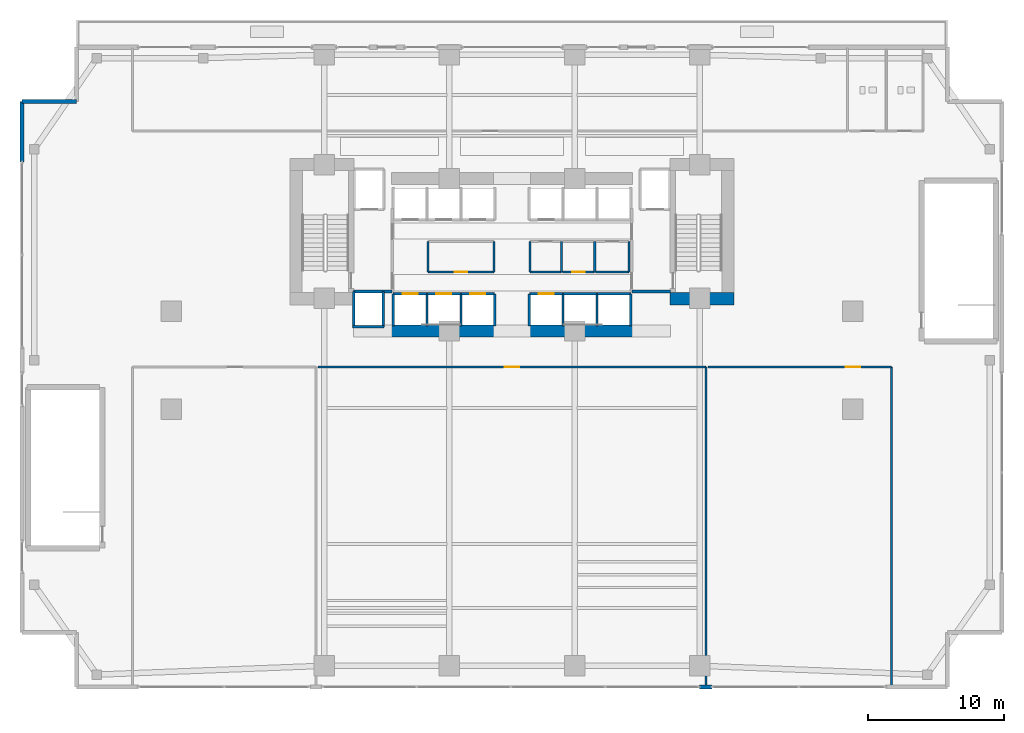
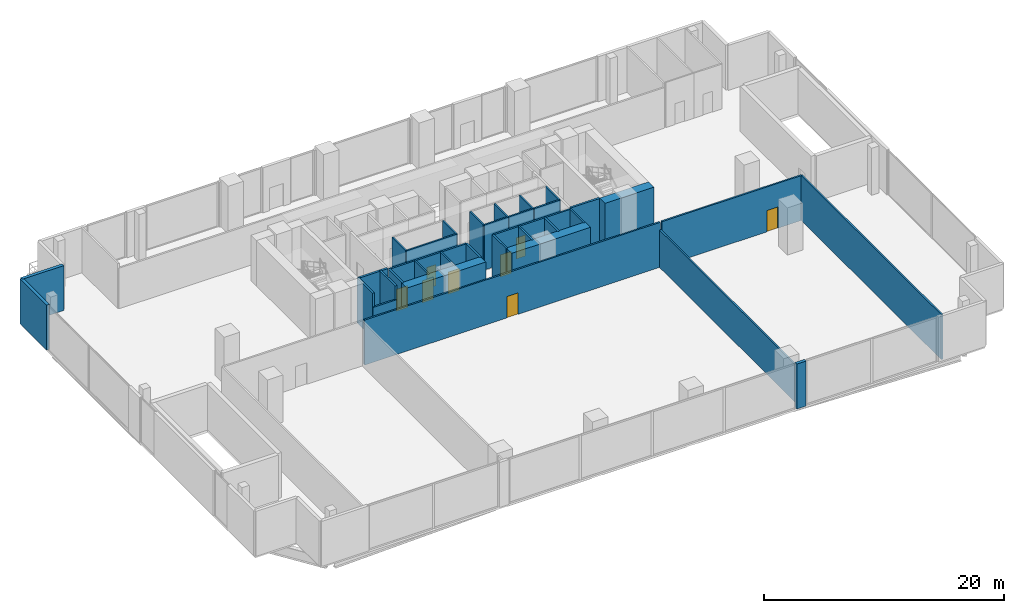
# One storey, part 21 of 28: 39 walls, 8 doors, 8 openings.
"""IFC4 building model written with IfcOpenShell, lengths in metres."""

from ifc_helpers import new_model, si_unit, direction, frame, frame_2d, origin, place, context, subcontext, project, spatial, rectangle, extrude, material, layer, layer_set, type_object, element, fill, save


model = new_model("IFC4")

# Units and contexts
model_context = context("Model", 3, precision=1e-05, world=origin(), true_north=direction((0.0, 1.0)))
body_context = subcontext(model_context, "Body", "Model", "MODEL_VIEW")
ifc_project = project(units=[si_unit("LENGTHUNIT", "METRE"), si_unit("AREAUNIT", "SQUARE_METRE"), si_unit("VOLUMEUNIT", "CUBIC_METRE"), si_unit("PLANEANGLEUNIT", "RADIAN"), si_unit("MASSUNIT", "GRAM", prefix="KILO")], contexts=[model_context])

# Site, building, storey
site_placement = place(None, origin())
site = spatial("IfcSite", under=ifc_project, at=site_placement, CompositionType="ELEMENT")
building_placement = place(site_placement, origin())
building = spatial("IfcBuilding", under=site, at=building_placement, Name="Zuhayl Quay Hotel", CompositionType="ELEMENT")
storey_placement = place(building_placement, frame((0.0, 0.0, 22.800048828125)))
storey = spatial("IfcBuildingStorey", under=building, at=storey_placement, Name="L04", CompositionType="ELEMENT", Elevation=22.800048828125)

# Walls
ifc_material_1 = material(Name="Concrete C70/85", Category="concrete")
ifc_layer_1 = layer(ifc_material_1, 0.89990234375, Name="Concrete C70/85", Category="concrete")
ifc_layer_set_1 = layer_set([ifc_layer_1], Name="Concrete C70/85")
wall_type_1 = type_object("IfcWallType", Name="WL_CORE_900", PredefinedType="SHEAR", material=ifc_layer_set_1)
wall_1_placement = place(storey_placement, frame((11.60009765625, 4.52001953125, 0.0), z_axis=(0.0, 0.0, 1.0), x_axis=(1.0, 0.0, 0.0)))
element("IfcWall", 1, at=wall_1_placement, inside=storey, type_object=wall_type_1, Name="L04 Core Shear Wall CW_SE", PredefinedType="SHEAR", context=body_context, shape_type="SweptSolid", body=[
    extrude(rectangle(XDim=4.7099609375, YDim=0.89990234375, at=frame_2d((2.35498046875, 0.0))), origin(), (0.0, 0.0, 1.0), 4.60986328125),
])
for number, where, z_axis, x_axis, name in (
    (2, (-8.85009765625, 2.14990234375, 0.0), (0.0, 0.0, 1.0), (1.0, 0.0, 0.0), "L04 Core Shear Wall CW_SC_W"),
    (3, (1.25, 2.14990234375, 0.0), (0.0, 0.0, 1.0), (1.0, 0.0, 0.0), "L04 Core Shear Wall CW_SC_E"),
):
    element("IfcWall", number, at=place(storey_placement, frame(where, z_axis=z_axis, x_axis=x_axis)), inside=storey, type_object=wall_type_1, Name=name, PredefinedType="SHEAR", context=body_context, shape_type="SweptSolid", body=[
        extrude(rectangle(XDim=7.60009765625, YDim=0.89990234375, at=frame_2d((3.800048828125, 0.0))), origin(), (0.0, 0.0, 1.0), 4.579833984375),
    ])
ifc_material_2 = material(Name="Precast concrete C45/55", Category="concrete")
ifc_layer_2 = layer(ifc_material_2, 0.300048828125, Name="Precast concrete C45/55", Category="concrete")
ifc_layer_set_2 = layer_set([ifc_layer_2], Name="Precast concrete C45/55")
wall_type_2 = type_object("IfcWallType", Name="WL_EXT_300", PredefinedType="STANDARD", material=ifc_layer_set_2)
wall_2_placement = place(storey_placement, frame((-36.0, 14.580078125, 0.0), z_axis=(0.0, 0.0, 1.0), x_axis=(0.0, 1.0, 0.0)))
element("IfcWall", 4, at=wall_2_placement, inside=storey, type_object=wall_type_2, Name="L04 Exterior Precast Wall ENV_L04_E02_EW4", PredefinedType="STANDARD", context=body_context, shape_type="SweptSolid", body=[
    extrude(rectangle(XDim=4.419921875, YDim=0.300048828125, at=frame_2d((2.2099609375, 0.0))), origin(), (0.0, 0.0, 1.0), 4.579833984375),
])
wall_3_placement = place(storey_placement, frame((-36.0, 19.0, 0.0), z_axis=(0.0, 0.0, 1.0), x_axis=(1.0, 0.0, 0.0)))
element("IfcWall", 5, at=wall_3_placement, inside=storey, type_object=wall_type_2, Name="L04 Exterior Precast Wall ENV_L04_EW03", PredefinedType="STANDARD", context=body_context, shape_type="SweptSolid", body=[
    extrude(rectangle(XDim=4.0, YDim=0.300048828125, at=frame_2d((2.0, 0.0))), origin(), (0.0, 0.0, 1.0), 4.579833984375),
])
wall_4_placement = place(storey_placement, frame((14.68994140625, -24.0, 0.0), z_axis=(0.0, 0.0, 1.0), x_axis=(-1.0, 0.0, 0.0)))
element("IfcWall", 6, at=wall_4_placement, inside=storey, type_object=wall_type_2, Name="L04 Exterior Precast Wall ENV_L04_E11_EW2", PredefinedType="STANDARD", context=body_context, shape_type="SweptSolid", body=[
    extrude(rectangle(XDim=0.89990234375, YDim=0.300048828125, at=frame_2d((0.449951171875, 0.0))), origin(), (0.0, 0.0, 1.0), 4.579833984375),
])

# Wall, opening, door
ifc_material_3 = material(Name="Acoustic Gypsum Partition STC-58")
ifc_layer_3 = layer(ifc_material_3, 0.14990234375, Name="Acoustic Gypsum Partition STC-58")
ifc_layer_set_3 = layer_set([ifc_layer_3], Name="Acoustic Gypsum Partition STC-58")
wall_type_3 = type_object("IfcWallType", Name="WL_PART_150", PredefinedType="PARTITIONING", material=ifc_layer_set_3)
wall_5_placement = place(storey_placement, frame((-6.159912109375, 6.47998046875, 0.0), z_axis=(0.0, 0.0, 1.0), x_axis=(1.0, 0.0, 0.0)))
wall_5 = element("IfcWall", 7, at=wall_5_placement, inside=storey, type_object=wall_type_3, Name="L04 Partition IW_L04_CORE_SV_S", PredefinedType="PARTITIONING", context=body_context, shape_type="SweptSolid", body=[
    extrude(rectangle(XDim=4.83984375, YDim=0.14990234375, at=frame_2d((2.419921875, 0.0))), origin(), (0.0, 0.0, 1.0), 4.579833984375),
])
opening_1_placement = place(wall_5_placement, frame((1.969970703125, 0.0, 0.0)))
opening_1 = element("IfcOpeningElement", 8, at=opening_1_placement, cuts=wall_5, Name="Opening D06", PredefinedType="OPENING", context=body_context, shape_type="SweptSolid", body=[
    extrude(rectangle(XDim=0.89990234375, YDim=2.14990234375, at=frame_2d((0.449951171875, 1.074951171875))), frame((0.0, 0.0849609375, 0.0), z_axis=(0.0, -1.0, 0.0), x_axis=(1.0, 0.0, 0.0)), (0.0, 0.0, 1.0), 0.169921875),
])
ifc_material_4 = material(Name="Steel ASTM A992 Grade 50", Category="steel")
door_type_1 = type_object("IfcDoorType", Name="DR_INT_900", OperationType="NOTDEFINED", PredefinedType="DOOR", material=ifc_material_4)
door_1_placement = place(opening_1_placement, origin())
door_1 = element("IfcDoor", 9, at=door_1_placement, inside=storey, type_object=door_type_1, Name="L04 Core Ice and Linen Store Door", OperationType="SINGLE_SWING_LEFT", OverallHeight=2.14990234375, OverallWidth=0.89990234375, PredefinedType="DOOR", context=body_context, shape_type="SweptSolid", body=[
    extrude(rectangle(XDim=0.89990234375, YDim=2.14990234375, at=frame_2d((0.449951171875, 1.074951171875))), frame((0.0, 0.02490234375, 0.0), z_axis=(0.0, -1.0, 0.0), x_axis=(1.0, 0.0, 0.0)), (0.0, 0.0, 1.0), 0.050048828125),
])
fill(opening_1, door_1)

wall_6_placement = place(storey_placement, frame((3.699951171875, 6.47998046875, 0.0), z_axis=(0.0, 0.0, 1.0), x_axis=(1.0, 0.0, 0.0)))
wall_6 = element("IfcWall", 10, at=wall_6_placement, inside=storey, type_object=wall_type_3, Name="L04 Partition IW_L04_CORE_E2_S", PredefinedType="PARTITIONING", context=body_context, shape_type="SweptSolid", body=[
    extrude(rectangle(XDim=2.380126953125, YDim=0.14990234375, at=frame_2d((1.18994140625, 0.0))), origin(), (0.0, 0.0, 1.0), 4.579833984375),
])
opening_2_placement = place(wall_6_placement, frame((0.739990234375, 0.0, 0.0)))
opening_2 = element("IfcOpeningElement", 11, at=opening_2_placement, cuts=wall_6, Name="Opening D06", PredefinedType="OPENING", context=body_context, shape_type="SweptSolid", body=[
    extrude(rectangle(XDim=0.89990234375, YDim=2.14990234375, at=frame_2d((0.449951171875, 1.074951171875))), frame((0.0, 0.0849609375, 0.0), z_axis=(0.0, -1.0, 0.0), x_axis=(1.0, 0.0, 0.0)), (0.0, 0.0, 1.0), 0.169921875),
])
door_2_placement = place(opening_2_placement, origin())
door_2 = element("IfcDoor", 12, at=door_2_placement, inside=storey, type_object=door_type_1, Name="L04 Data Closet Door", OperationType="SINGLE_SWING_LEFT", OverallHeight=2.14990234375, OverallWidth=0.89990234375, PredefinedType="DOOR", context=body_context, shape_type="SweptSolid", body=[
    extrude(rectangle(XDim=0.89990234375, YDim=2.14990234375, at=frame_2d((0.449951171875, 1.074951171875))), frame((0.0, 0.02490234375, 0.0), z_axis=(0.0, -1.0, 0.0), x_axis=(1.0, 0.0, 0.0)), (0.0, 0.0, 1.0), 0.050048828125),
])
fill(opening_2, door_2)

# Walls
for number, where, z_axis, x_axis, name in (
    (13, (-6.159912109375, 6.47998046875, 0.0), (0.0, 0.0, 1.0), (0.0, 1.0, 0.0), "L04 Partition IW_L04_CORE_SV_W"),
    (14, (-1.320068359375, 6.47998046875, 0.0), (0.0, 0.0, 1.0), (0.0, 1.0, 0.0), "L04 Partition IW_L04_CORE_SV_E"),
):
    element("IfcWall", number, at=place(storey_placement, frame(where, z_axis=z_axis, x_axis=x_axis)), inside=storey, type_object=wall_type_3, Name=name, PredefinedType="PARTITIONING", context=body_context, shape_type="SweptSolid", body=[
        extrude(rectangle(XDim=2.239990234375, YDim=0.14990234375, at=frame_2d((1.1201171875, 0.0))), origin(), (0.0, 0.0, 1.0), 4.579833984375),
    ])
wall_7_placement = place(storey_placement, frame((1.320068359375, 6.47998046875, 0.0), z_axis=(0.0, 0.0, 1.0), x_axis=(1.0, 0.0, 0.0)))
element("IfcWall", 15, at=wall_7_placement, inside=storey, type_object=wall_type_3, Name="L04 Partition IW_L04_CORE_E1_S", PredefinedType="PARTITIONING", context=body_context, shape_type="SweptSolid", body=[
    extrude(rectangle(XDim=2.31982421875, YDim=0.14990234375, at=frame_2d((1.159912109375, 0.0))), origin(), (0.0, 0.0, 1.0), 4.579833984375),
])
for number, where, z_axis, x_axis, name in (
    (16, (1.320068359375, 6.47998046875, 0.0), (0.0, 0.0, 1.0), (0.0, 1.0, 0.0), "L04 Partition IW_L04_CORE_E1_W"),
    (17, (3.639892578125, 6.47998046875, 0.0), (0.0, 0.0, 1.0), (0.0, 1.0, 0.0), "L04 Partition IW_L04_CORE_E1_E"),
    (18, (6.080078125, 6.47998046875, 0.0), (0.0, 0.0, 1.0), (0.0, 1.0, 0.0), "L04 Partition IW_L04_CORE_E2_E"),
):
    element("IfcWall", number, at=place(storey_placement, frame(where, z_axis=z_axis, x_axis=x_axis)), inside=storey, type_object=wall_type_3, Name=name, PredefinedType="PARTITIONING", context=body_context, shape_type="SweptSolid", body=[
        extrude(rectangle(XDim=2.239990234375, YDim=0.14990234375, at=frame_2d((1.1201171875, 0.0))), origin(), (0.0, 0.0, 1.0), 4.579833984375),
    ])
wall_8_placement = place(storey_placement, frame((6.139892578125, 6.47998046875, 0.0), z_axis=(0.0, 0.0, 1.0), x_axis=(1.0, 0.0, 0.0)))
element("IfcWall", 19, at=wall_8_placement, inside=storey, type_object=wall_type_3, Name="L04 Partition IW_L04_CORE_E3_S", PredefinedType="PARTITIONING", context=body_context, shape_type="SweptSolid", body=[
    extrude(rectangle(XDim=2.47021484375, YDim=0.14990234375, at=frame_2d((1.235107421875, 0.0))), origin(), (0.0, 0.0, 1.0), 4.579833984375),
])
wall_9_placement = place(storey_placement, frame((8.610107421875, 6.47998046875, 0.0), z_axis=(0.0, 0.0, 1.0), x_axis=(0.0, 1.0, 0.0)))
element("IfcWall", 20, at=wall_9_placement, inside=storey, type_object=wall_type_3, Name="L04 Partition IW_L04_CORE_E3_E", PredefinedType="PARTITIONING", context=body_context, shape_type="SweptSolid", body=[
    extrude(rectangle(XDim=2.239990234375, YDim=0.14990234375, at=frame_2d((1.1201171875, 0.0))), origin(), (0.0, 0.0, 1.0), 4.579833984375),
])
wall_10_placement = place(storey_placement, frame((14.239990234375, -23.93994140625, 0.0), z_axis=(0.0, 0.0, 1.0), x_axis=(0.0, 1.0, 0.0)))
element("IfcWall", 21, at=wall_10_placement, inside=storey, type_object=wall_type_3, Name="L04 Partition IW_L04_KIDS_CLUB_E", PredefinedType="PARTITIONING", context=body_context, shape_type="SweptSolid", body=[
    extrude(rectangle(XDim=23.43994140625, YDim=0.14990234375, at=frame_2d((11.719970703125, 0.0))), origin(), (0.0, 0.0, 1.0), 3.81787109375),
])
wall_11_placement = place(storey_placement, frame((27.89990234375, -23.93994140625, 0.0), z_axis=(0.0, 0.0, 1.0), x_axis=(0.0, 1.0, 0.0)))
element("IfcWall", 22, at=wall_11_placement, inside=storey, type_object=wall_type_3, Name="L04 Partition IW_L04_ADMIN_OFF_E", PredefinedType="PARTITIONING", context=body_context, shape_type="SweptSolid", body=[
    extrude(rectangle(XDim=23.43994140625, YDim=0.14990234375, at=frame_2d((11.719970703125, 0.0))), origin(), (0.0, 0.0, 1.0), 4.579833984375),
])

# Wall, opening, door
ifc_layer_4 = layer(ifc_material_3, 0.159912109375, Name="Acoustic Gypsum Partition STC-58")
ifc_layer_set_4 = layer_set([ifc_layer_4], Name="Acoustic Gypsum Partition STC-58")
wall_type_4 = type_object("IfcWallType", Name="WL_PART_CORR_160", PredefinedType="PARTITIONING", material=ifc_layer_set_4)
wall_12_placement = place(storey_placement, frame((-14.239990234375, -0.5, 0.0), z_axis=(0.0, 0.0, 1.0), x_axis=(1.0, 0.0, 0.0)))
wall_12 = element("IfcWall", 23, at=wall_12_placement, inside=storey, type_object=wall_type_4, Name="L04 Partition IW_L04_KIDS_CLUB_N", PredefinedType="PARTITIONING", context=body_context, shape_type="SweptSolid", body=[
    extrude(rectangle(XDim=28.47998046875, YDim=0.159912109375, at=frame_2d((14.239990234375, 0.0))), origin(), (0.0, 0.0, 1.0), 4.579833984375),
])
opening_3_placement = place(wall_12_placement, frame((13.699951171875, 0.0, 0.0)))
opening_3 = element("IfcOpeningElement", 24, at=opening_3_placement, cuts=wall_12, Name="Opening D05A", PredefinedType="OPENING", context=body_context, shape_type="SweptSolid", body=[
    extrude(rectangle(XDim=1.080078125, YDim=2.179931640625, at=frame_2d((0.5400390625, 1.08984375))), frame((0.0, 0.08984375, 0.0), z_axis=(0.0, -1.0, 0.0), x_axis=(1.0, 0.0, 0.0)), (0.0, 0.0, 1.0), 0.179931640625),
])
ifc_material_5 = material(Name="Solid Walnut Acoustic Fire Door")
door_type_2 = type_object("IfcDoorType", Name="DR_INT_1100", OperationType="NOTDEFINED", PredefinedType="DOOR", material=ifc_material_5)
door_3_placement = place(opening_3_placement, origin())
door_3 = element("IfcDoor", 25, at=door_3_placement, inside=storey, type_object=door_type_2, Name="L04 Family Salon and Studio Door", OperationType="SINGLE_SWING_LEFT", OverallHeight=2.179931640625, OverallWidth=1.080078125, PredefinedType="DOOR", context=body_context, shape_type="SweptSolid", body=[
    extrude(rectangle(XDim=1.080078125, YDim=2.179931640625, at=frame_2d((0.5400390625, 1.08984375))), frame((0.0, 0.02490234375, 0.0), z_axis=(0.0, -1.0, 0.0), x_axis=(1.0, 0.0, 0.0)), (0.0, 0.0, 1.0), 0.050048828125),
])
fill(opening_3, door_3)

wall_13_placement = place(storey_placement, frame((14.39990234375, -0.5, 0.0), z_axis=(0.0, 0.0, 1.0), x_axis=(1.0, 0.0, 0.0)))
wall_13 = element("IfcWall", 26, at=wall_13_placement, inside=storey, type_object=wall_type_4, Name="L04 Partition IW_L04_ADMIN_OFF_N", PredefinedType="PARTITIONING", context=body_context, shape_type="SweptSolid", body=[
    extrude(rectangle(XDim=13.5, YDim=0.159912109375, at=frame_2d((6.75, 0.0))), origin(), (0.0, 0.0, 1.0), 4.579833984375),
])
opening_4_placement = place(wall_13_placement, frame((10.110107421875, 0.0, 0.0)))
opening_4 = element("IfcOpeningElement", 27, at=opening_4_placement, cuts=wall_13, Name="Opening D05A", PredefinedType="OPENING", context=body_context, shape_type="SweptSolid", body=[
    extrude(rectangle(XDim=1.080078125, YDim=2.179931640625, at=frame_2d((0.5400390625, 1.08984375))), frame((0.0, 0.08984375, 0.0), z_axis=(0.0, -1.0, 0.0), x_axis=(1.0, 0.0, 0.0)), (0.0, 0.0, 1.0), 0.179931640625),
])
door_4_placement = place(opening_4_placement, origin())
door_4 = element("IfcDoor", 28, at=door_4_placement, inside=storey, type_object=door_type_2, Name="L04 Hotel Management Offices Door", OperationType="SINGLE_SWING_RIGHT", OverallHeight=2.179931640625, OverallWidth=1.080078125, PredefinedType="DOOR", context=body_context, shape_type="SweptSolid", body=[
    extrude(rectangle(XDim=1.080078125, YDim=2.179931640625, at=frame_2d((0.5400390625, 1.08984375))), frame((0.0, 0.02490234375, 0.0), z_axis=(0.0, -1.0, 0.0), x_axis=(1.0, 0.0, 0.0)), (0.0, 0.0, 1.0), 0.050048828125),
])
fill(opening_4, door_4)

ifc_material_6 = material(Name="Gypsum Fireboard Assembly EI-90")
ifc_layer_5 = layer(ifc_material_6, 0.1650390625, Name="Gypsum Fireboard Assembly EI-90")
ifc_layer_set_5 = layer_set([ifc_layer_5], Name="Gypsum Fireboard Assembly EI-90")
wall_type_5 = type_object("IfcWallType", Name="WL_PART_SHAFT_160", PredefinedType="PARTITIONING", material=ifc_layer_set_5)
wall_14_placement = place(storey_placement, frame((-8.72998046875, 4.8798828125, 0.0), z_axis=(0.0, 0.0, 1.0), x_axis=(1.0, 0.0, 0.0)))
wall_14 = element("IfcWall", 29, at=wall_14_placement, inside=storey, type_object=wall_type_5, Name="L04 Partition IW_L04_SH_LP1_F", PredefinedType="PARTITIONING", context=body_context, shape_type="SweptSolid", body=[
    extrude(rectangle(XDim=2.47998046875, YDim=0.1650390625, at=frame_2d((1.239990234375, 0.0))), origin(), (0.0, 0.0, 1.0), 4.579833984375),
])
opening_5_placement = place(wall_14_placement, frame((0.68994140625, 0.0, 0.0)))
opening_5 = element("IfcOpeningElement", 30, at=opening_5_placement, cuts=wall_14, Name="Opening LD1", PredefinedType="OPENING", context=body_context, shape_type="SweptSolid", body=[
    extrude(rectangle(XDim=1.10009765625, YDim=2.25, at=frame_2d((0.550048828125, 1.125))), frame((0.0, 0.092529296875, 0.0), z_axis=(0.0, -1.0, 0.0), x_axis=(1.0, 0.0, 0.0)), (0.0, 0.0, 1.0), 0.18505859375),
])
ifc_material_7 = material(Name="Brushed Stainless Steel", Category="steel")
door_type_3 = type_object("IfcDoorType", Name="DR_LIFT_PASS_1100", OperationType="SLIDING_TO_LEFT", PredefinedType="DOOR", material=ifc_material_7)
door_5_placement = place(opening_5_placement, origin())
door_5 = element("IfcDoor", 31, at=door_5_placement, inside=storey, type_object=door_type_3, Name="L04 Lift LP1 Sliding Landing Door", OperationType="SLIDING_TO_LEFT", OverallHeight=2.25, OverallWidth=1.10009765625, PredefinedType="DOOR", context=body_context, shape_type="SweptSolid", body=[
    extrude(rectangle(XDim=1.10009765625, YDim=2.25, at=frame_2d((0.550048828125, 1.125))), frame((0.0, 0.02490234375, 0.0), z_axis=(0.0, -1.0, 0.0), x_axis=(1.0, 0.0, 0.0)), (0.0, 0.0, 1.0), 0.050048828125),
])
fill(opening_5, door_5)

wall_15_placement = place(storey_placement, frame((-6.25, 4.8798828125, 0.0), z_axis=(0.0, 0.0, 1.0), x_axis=(1.0, 0.0, 0.0)))
wall_15 = element("IfcWall", 32, at=wall_15_placement, inside=storey, type_object=wall_type_5, Name="L04 Partition IW_L04_SH_LP2_F", PredefinedType="PARTITIONING", context=body_context, shape_type="SweptSolid", body=[
    extrude(rectangle(XDim=2.5, YDim=0.1650390625, at=frame_2d((1.25, 0.0))), origin(), (0.0, 0.0, 1.0), 4.579833984375),
])
opening_6_placement = place(wall_15_placement, frame((0.699951171875, 0.0, 0.0)))
opening_6 = element("IfcOpeningElement", 33, at=opening_6_placement, cuts=wall_15, Name="Opening LD1", PredefinedType="OPENING", context=body_context, shape_type="SweptSolid", body=[
    extrude(rectangle(XDim=1.10009765625, YDim=2.25, at=frame_2d((0.550048828125, 1.125))), frame((0.0, 0.092529296875, 0.0), z_axis=(0.0, -1.0, 0.0), x_axis=(1.0, 0.0, 0.0)), (0.0, 0.0, 1.0), 0.18505859375),
])
door_6_placement = place(opening_6_placement, origin())
door_6 = element("IfcDoor", 34, at=door_6_placement, inside=storey, type_object=door_type_3, Name="L04 Lift LP2 Sliding Landing Door", OperationType="SLIDING_TO_LEFT", OverallHeight=2.25, OverallWidth=1.10009765625, PredefinedType="DOOR", context=body_context, shape_type="SweptSolid", body=[
    extrude(rectangle(XDim=1.10009765625, YDim=2.25, at=frame_2d((0.550048828125, 1.125))), frame((0.0, 0.02490234375, 0.0), z_axis=(0.0, -1.0, 0.0), x_axis=(1.0, 0.0, 0.0)), (0.0, 0.0, 1.0), 0.050048828125),
])
fill(opening_6, door_6)

wall_16_placement = place(storey_placement, frame((-3.75, 4.8798828125, 0.0), z_axis=(0.0, 0.0, 1.0), x_axis=(1.0, 0.0, 0.0)))
wall_16 = element("IfcWall", 35, at=wall_16_placement, inside=storey, type_object=wall_type_5, Name="L04 Partition IW_L04_SH_MP1_F", PredefinedType="PARTITIONING", context=body_context, shape_type="SweptSolid", body=[
    extrude(rectangle(XDim=2.47998046875, YDim=0.1650390625, at=frame_2d((1.239990234375, 0.0))), origin(), (0.0, 0.0, 1.0), 4.579833984375),
])
opening_7_placement = place(wall_16_placement, frame((0.68994140625, 0.0, 0.0)))
opening_7 = element("IfcOpeningElement", 36, at=opening_7_placement, cuts=wall_16, Name="Opening LD1", PredefinedType="OPENING", context=body_context, shape_type="SweptSolid", body=[
    extrude(rectangle(XDim=1.10009765625, YDim=2.25, at=frame_2d((0.550048828125, 1.125))), frame((0.0, 0.092529296875, 0.0), z_axis=(0.0, -1.0, 0.0), x_axis=(1.0, 0.0, 0.0)), (0.0, 0.0, 1.0), 0.18505859375),
])
door_7_placement = place(opening_7_placement, origin())
door_7 = element("IfcDoor", 37, at=door_7_placement, inside=storey, type_object=door_type_3, Name="L04 Lift MP1 Sliding Landing Door", OperationType="SLIDING_TO_LEFT", OverallHeight=2.25, OverallWidth=1.10009765625, PredefinedType="DOOR", context=body_context, shape_type="SweptSolid", body=[
    extrude(rectangle(XDim=1.10009765625, YDim=2.25, at=frame_2d((0.550048828125, 1.125))), frame((0.0, 0.02490234375, 0.0), z_axis=(0.0, -1.0, 0.0), x_axis=(1.0, 0.0, 0.0)), (0.0, 0.0, 1.0), 0.050048828125),
])
fill(opening_7, door_7)

wall_17_placement = place(storey_placement, frame((1.27001953125, 4.8798828125, 0.0), z_axis=(0.0, 0.0, 1.0), x_axis=(1.0, 0.0, 0.0)))
wall_17 = element("IfcWall", 38, at=wall_17_placement, inside=storey, type_object=wall_type_5, Name="L04 Partition IW_L04_SH_MP2_F", PredefinedType="PARTITIONING", context=body_context, shape_type="SweptSolid", body=[
    extrude(rectangle(XDim=2.47998046875, YDim=0.1650390625, at=frame_2d((1.239990234375, 0.0))), origin(), (0.0, 0.0, 1.0), 4.579833984375),
])
opening_8_placement = place(wall_17_placement, frame((0.68994140625, 0.0, 0.0)))
opening_8 = element("IfcOpeningElement", 39, at=opening_8_placement, cuts=wall_17, Name="Opening LD1", PredefinedType="OPENING", context=body_context, shape_type="SweptSolid", body=[
    extrude(rectangle(XDim=1.10009765625, YDim=2.25, at=frame_2d((0.550048828125, 1.125))), frame((0.0, 0.092529296875, 0.0), z_axis=(0.0, -1.0, 0.0), x_axis=(1.0, 0.0, 0.0)), (0.0, 0.0, 1.0), 0.18505859375),
])
door_8_placement = place(opening_8_placement, origin())
door_8 = element("IfcDoor", 40, at=door_8_placement, inside=storey, type_object=door_type_3, Name="L04 Lift MP2 Sliding Landing Door", OperationType="SLIDING_TO_LEFT", OverallHeight=2.25, OverallWidth=1.10009765625, PredefinedType="DOOR", context=body_context, shape_type="SweptSolid", body=[
    extrude(rectangle(XDim=1.10009765625, YDim=2.25, at=frame_2d((0.550048828125, 1.125))), frame((0.0, 0.02490234375, 0.0), z_axis=(0.0, -1.0, 0.0), x_axis=(1.0, 0.0, 0.0)), (0.0, 0.0, 1.0), 0.050048828125),
])
fill(opening_8, door_8)

# Walls
for number, where, z_axis, x_axis, name in (
    (41, (-8.72998046875, 2.52001953125, 0.0), (0.0, 0.0, 1.0), (0.0, 1.0, 0.0), "L04 Partition IW_L04_SH_LP1_W"),
    (42, (-6.25, 2.52001953125, 0.0), (0.0, 0.0, 1.0), (0.0, 1.0, 0.0), "L04 Partition IW_L04_SH_LP1_E"),
    (43, (-3.75, 2.52001953125, 0.0), (0.0, 0.0, 1.0), (0.0, 1.0, 0.0), "L04 Partition IW_L04_SH_LP2_E"),
    (44, (-1.27001953125, 2.52001953125, 0.0), (0.0, 0.0, 1.0), (0.0, 1.0, 0.0), "L04 Partition IW_L04_SH_MP1_E"),
    (45, (1.27001953125, 2.52001953125, 0.0), (0.0, 0.0, 1.0), (0.0, 1.0, 0.0), "L04 Partition IW_L04_SH_MP2_W"),
    (46, (3.75, 2.52001953125, 0.0), (0.0, 0.0, 1.0), (0.0, 1.0, 0.0), "L04 Partition IW_L04_SH_MP2_E"),
):
    element("IfcWall", number, at=place(storey_placement, frame(where, z_axis=z_axis, x_axis=x_axis)), inside=storey, type_object=wall_type_5, Name=name, PredefinedType="PARTITIONING", context=body_context, shape_type="SweptSolid", body=[
        extrude(rectangle(XDim=2.35986328125, YDim=0.1650390625, at=frame_2d((1.179931640625, 0.0))), origin(), (0.0, 0.0, 1.0), 4.579833984375),
    ])
wall_18_placement = place(storey_placement, frame((3.75, 4.8798828125, 0.0), z_axis=(0.0, 0.0, 1.0), x_axis=(1.0, 0.0, 0.0)))
element("IfcWall", 47, at=wall_18_placement, inside=storey, type_object=wall_type_5, Name="L04 Partition IW_L04_SH_HP1_F", PredefinedType="PARTITIONING", context=body_context, shape_type="SweptSolid", body=[
    extrude(rectangle(XDim=2.5, YDim=0.1650390625, at=frame_2d((1.25, 0.0))), origin(), (0.0, 0.0, 1.0), 4.579833984375),
])
wall_19_placement = place(storey_placement, frame((6.25, 2.52001953125, 0.0), z_axis=(0.0, 0.0, 1.0), x_axis=(0.0, 1.0, 0.0)))
element("IfcWall", 48, at=wall_19_placement, inside=storey, type_object=wall_type_5, Name="L04 Partition IW_L04_SH_HP1_E", PredefinedType="PARTITIONING", context=body_context, shape_type="SweptSolid", body=[
    extrude(rectangle(XDim=2.35986328125, YDim=0.1650390625, at=frame_2d((1.179931640625, 0.0))), origin(), (0.0, 0.0, 1.0), 4.579833984375),
])
wall_20_placement = place(storey_placement, frame((6.25, 4.8798828125, 0.0), z_axis=(0.0, 0.0, 1.0), x_axis=(1.0, 0.0, 0.0)))
element("IfcWall", 49, at=wall_20_placement, inside=storey, type_object=wall_type_5, Name="L04 Partition IW_L04_SH_HP2_F", PredefinedType="PARTITIONING", context=body_context, shape_type="SweptSolid", body=[
    extrude(rectangle(XDim=2.47998046875, YDim=0.1650390625, at=frame_2d((1.239990234375, 0.0))), origin(), (0.0, 0.0, 1.0), 4.579833984375),
])
wall_21_placement = place(storey_placement, frame((8.72998046875, 2.52001953125, 0.0), z_axis=(0.0, 0.0, 1.0), x_axis=(0.0, 1.0, 0.0)))
element("IfcWall", 50, at=wall_21_placement, inside=storey, type_object=wall_type_5, Name="L04 Partition IW_L04_SH_HP2_E", PredefinedType="PARTITIONING", context=body_context, shape_type="SweptSolid", body=[
    extrude(rectangle(XDim=2.35986328125, YDim=0.1650390625, at=frame_2d((1.179931640625, 0.0))), origin(), (0.0, 0.0, 1.0), 4.579833984375),
])
wall_22_placement = place(storey_placement, frame((-11.6298828125, 2.469970703125, 0.0), z_axis=(0.0, 0.0, 1.0), x_axis=(0.0, 1.0, 0.0)))
element("IfcWall", 51, at=wall_22_placement, inside=storey, type_object=wall_type_5, Name="L04 Partition IW_L04_RISER_W", PredefinedType="PARTITIONING", context=body_context, shape_type="SweptSolid", body=[
    extrude(rectangle(XDim=2.580078125, YDim=0.1650390625, at=frame_2d((1.2900390625, 0.0))), origin(), (0.0, 0.0, 1.0), 4.579833984375),
])
wall_23_placement = place(storey_placement, frame((-11.7099609375, 2.469970703125, 0.0), z_axis=(0.0, 0.0, 1.0), x_axis=(1.0, 0.0, 0.0)))
element("IfcWall", 52, at=wall_23_placement, inside=storey, type_object=wall_type_5, Name="L04 Partition IW_L04_RISER_S", PredefinedType="PARTITIONING", context=body_context, shape_type="SweptSolid", body=[
    extrude(rectangle(XDim=2.31005859375, YDim=0.1650390625, at=frame_2d((1.155029296875, 0.0))), origin(), (0.0, 0.0, 1.0), 3.179931640625),
])
ifc_layer_6 = layer(ifc_material_6, 0.179931640625, Name="Gypsum Fireboard Assembly EI-90")
ifc_layer_set_6 = layer_set([ifc_layer_6], Name="Gypsum Fireboard Assembly EI-90")
wall_type_6 = type_object("IfcWallType", Name="WL_PART_SHAFT_180", PredefinedType="PARTITIONING", material=ifc_layer_set_6)
wall_24_placement = place(storey_placement, frame((-9.469970703125, 2.449951171875, 0.0), z_axis=(0.0, 0.0, 1.0), x_axis=(0.0, 1.0, 0.0)))
element("IfcWall", 53, at=wall_24_placement, inside=storey, type_object=wall_type_6, Name="L04 Partition IW_L04_RISER_E", PredefinedType="PARTITIONING", context=body_context, shape_type="SweptSolid", body=[
    extrude(rectangle(XDim=2.60009765625, YDim=0.179931640625, at=frame_2d((1.300048828125, 0.0))), origin(), (0.0, 0.0, 1.0), 4.579833984375),
])
ifc_material_8 = material(Name="Gypsum Fireboard Assembly EI-120")
ifc_layer_7 = layer(ifc_material_8, 0.199951171875, Name="Gypsum Fireboard Assembly EI-120")
ifc_layer_set_7 = layer_set([ifc_layer_7], Name="Gypsum Fireboard Assembly EI-120")
wall_type_7 = type_object("IfcWallType", Name="WL_PART_SHAFT_200", PredefinedType="PARTITIONING", material=ifc_layer_set_7)
for number, where, z_axis, x_axis, name in (
    (54, (-11.64990234375, 5.050048828125, 0.0), (0.0, 0.0, 1.0), (1.0, 0.0, 0.0), "L04 Partition IW_L04_FSAE_W_S"),
    (55, (8.800048828125, 5.050048828125, 0.0), (0.0, 0.0, 1.0), (1.0, 0.0, 0.0), "L04 Partition IW_L04_FSAE_E_S"),
):
    element("IfcWall", number, at=place(storey_placement, frame(where, z_axis=z_axis, x_axis=x_axis)), inside=storey, type_object=wall_type_7, Name=name, PredefinedType="PARTITIONING", context=body_context, shape_type="SweptSolid", body=[
        extrude(rectangle(XDim=2.849853515625, YDim=0.199951171875, at=frame_2d((1.4248046875, 0.0))), origin(), (0.0, 0.0, 1.0), 4.579833984375),
    ])

save(model, "model.ifc")
